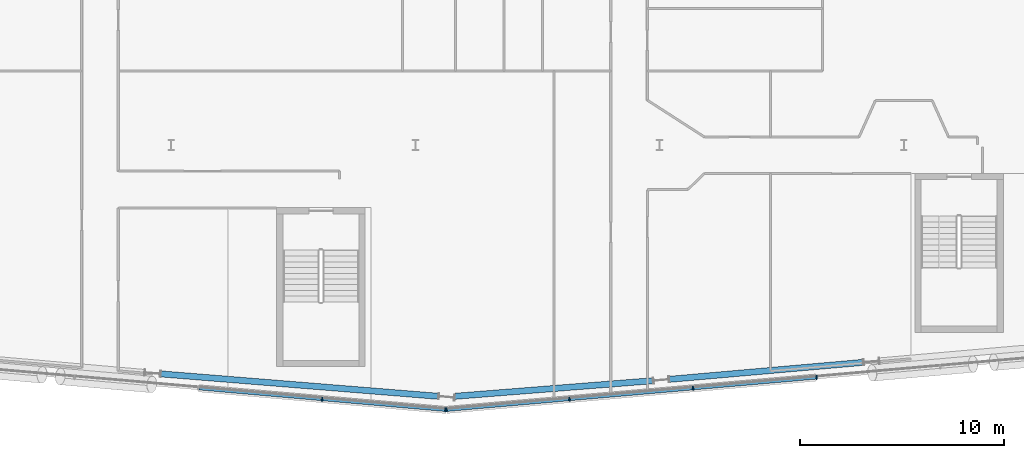
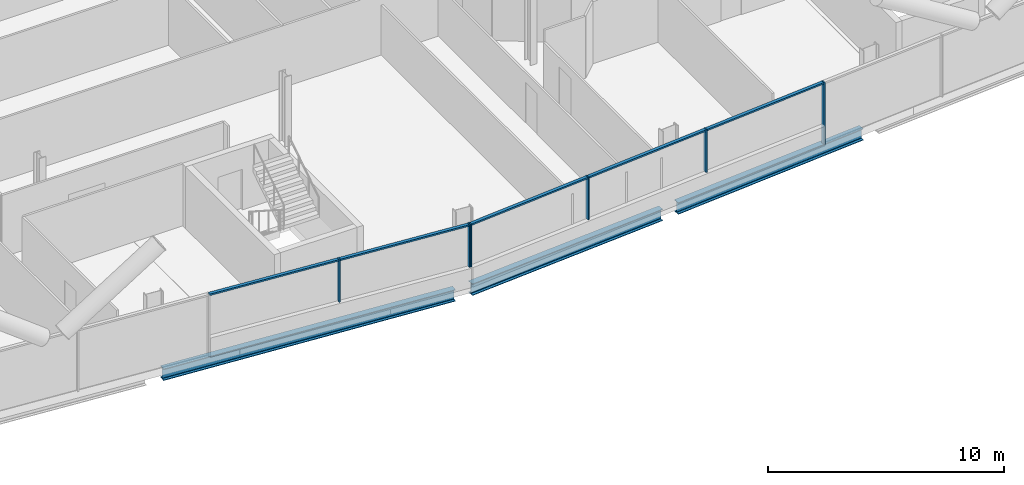
# One storey, part 7 of 27: 11 members, 3 beams, 2 elements without a shape of their own.
"""IFC4 building model written with IfcOpenShell, lengths in metres."""

from ifc_helpers import new_model, si_unit, direction, frame, origin, origin_2d, place, context, subcontext, project, spatial, rectangle, i_section, extrude, material, material_profile, profile_set, type_object, element, aggregate, save


model = new_model("IFC4")

# Units and contexts
model_context = context("Model", 3, precision=1e-05, world=origin(), true_north=direction((0.0, 1.0)))
body_context = subcontext(model_context, "Body", "Model", "MODEL_VIEW")
ifc_project = project(units=[si_unit("LENGTHUNIT", "METRE"), si_unit("AREAUNIT", "SQUARE_METRE"), si_unit("VOLUMEUNIT", "CUBIC_METRE"), si_unit("PLANEANGLEUNIT", "RADIAN"), si_unit("MASSUNIT", "GRAM", prefix="KILO")], contexts=[model_context])

# Site, building, storey
site_placement = place(None, origin())
site = spatial("IfcSite", under=ifc_project, at=site_placement, CompositionType="ELEMENT")
building_placement = place(site_placement, origin())
building = spatial("IfcBuilding", under=site, at=building_placement, Name="Wharfspan Tower", CompositionType="ELEMENT")
storey_placement = place(building_placement, frame((0.0, 0.0, 111.100098)))
storey = spatial("IfcBuildingStorey", under=building, at=storey_placement, Name="L25", CompositionType="ELEMENT", Elevation=111.100098)

# Beams
ifc_material_1 = material(Name="Steel S355J2", Category="steel")
ifc_material_profile_1 = material_profile(ifc_material_1, i_section(OverallWidth=0.300049, OverallDepth=0.600098, WebThickness=0.015381, FlangeThickness=0.030029, FilletRadius=0.0271, at=origin_2d()))
ifc_profile_set_1 = profile_set([ifc_material_profile_1], Name="Steel S355J2")
beam_type = type_object("IfcBeamType", Name="Edge beam HEB 600", PredefinedType="SPANDREL", material=ifc_profile_set_1)
beam_1_placement = place(storey_placement, frame((35.490967, 0.252197, -0.700195), z_axis=(0.996756, -0.080488, 0.0), x_axis=(0.080488, 0.996756, 0.0)))
element("IfcBeam", 1, at=beam_1_placement, inside=storey, type_object=beam_type, Name="Edge beam S1 L25 PS1.3 to PS1.4", PredefinedType="SPANDREL", context=body_context, shape_type="SweptSolid", body=[
    extrude(i_section(OverallWidth=0.300049, OverallDepth=0.600098, WebThickness=0.015381, FlangeThickness=0.030029, FilletRadius=0.0271, at=origin_2d()), origin(), (0.0, 0.0, 1.0), 13.683105),
])
beam_2_placement = place(storey_placement, frame((49.938721, -0.849365, -0.700195), z_axis=(0.996913, 0.078508, 0.0), x_axis=(-0.078508, 0.996913, 0.0)))
element("IfcBeam", 2, at=beam_2_placement, inside=storey, type_object=beam_type, Name="Edge beam S2 L25 PS1.4 to PS2.1", PredefinedType="SPANDREL", context=body_context, shape_type="SweptSolid", body=[
    extrude(i_section(OverallWidth=0.300049, OverallDepth=0.600098, WebThickness=0.015381, FlangeThickness=0.030029, FilletRadius=0.0271, at=origin_2d()), origin(), (0.0, 0.0, 1.0), 9.767578),
])
beam_3_placement = place(storey_placement, frame((60.479492, -0.015625, -0.700195), z_axis=(0.996194, 0.087164, 0.0), x_axis=(-0.087164, 0.996194, 0.0)))
element("IfcBeam", 3, at=beam_3_placement, inside=storey, type_object=beam_type, Name="Edge beam S2 L25 PS2.1 to PS2.2", PredefinedType="SPANDREL", context=body_context, shape_type="SweptSolid", body=[
    extrude(i_section(OverallWidth=0.300049, OverallDepth=0.600098, WebThickness=0.015381, FlangeThickness=0.030029, FilletRadius=0.0271, at=origin_2d()), origin(), (0.0, 0.0, 1.0), 9.55957),
])

# Curtain wall, members
ifc_material_2 = material(Name="Aluminium 6063-T6", Category="aluminium")
curtain_wall_type = type_object("IfcCurtainWallType", Name="CURTAIN WALL FACETED FRONT", PredefinedType="NOTDEFINED", material=ifc_material_2)
curtain_wall_1_placement = place(storey_placement, origin())
curtain_wall_1 = element("IfcCurtainWall", 4, at=curtain_wall_1_placement, inside=storey, type_object=curtain_wall_type, Name="Curtain wall S1", PredefinedType="NOTDEFINED")
ifc_material_profile_2 = material_profile(ifc_material_2, rectangle(XDim=0.199951, YDim=0.060059, at=origin_2d()))
ifc_profile_set_2 = profile_set([ifc_material_profile_2], Name="Aluminium 6063-T6")
member_type_1 = type_object("IfcMemberType", Name="MULLION FACETED FRONT 60x200", PredefinedType="MULLION", material=ifc_profile_set_2)
member_1_placement = place(storey_placement, frame((43.416748, -0.986084, 1.0), z_axis=(0.0, 0.0, 1.0), x_axis=(0.087156, 0.996198, 0.0)))
member_1 = element("IfcMember", 5, at=member_1_placement, type_object=member_type_1, Name="Curtain wall S1 mullion 6", PredefinedType="MULLION", context=body_context, shape_type="SweptSolid", body=[
    extrude(rectangle(XDim=0.199951, YDim=0.060059, at=origin_2d()), origin(), (0.0, 0.0, 1.0), 2.199951),
])
member_2_placement = place(storey_placement, frame((49.470215, -1.515625, 1.0), z_axis=(0.0, 0.0, 1.0), x_axis=(0.087156, 0.996198, 0.0)))
member_2 = element("IfcMember", 6, at=member_2_placement, type_object=member_type_1, Name="Curtain wall S1 mullion 7", PredefinedType="MULLION", context=body_context, shape_type="SweptSolid", body=[
    extrude(rectangle(XDim=0.199951, YDim=0.060059, at=origin_2d()), origin(), (0.0, 0.0, 1.0), 2.199951),
])

curtain_wall_2_placement = place(storey_placement, origin())
curtain_wall_2 = element("IfcCurtainWall", 7, at=curtain_wall_2_placement, inside=storey, type_object=curtain_wall_type, Name="Curtain wall S2", PredefinedType="NOTDEFINED")
member_3_placement = place(storey_placement, frame((49.529785, -1.515625, 1.0), z_axis=(0.0, 0.0, 1.0), x_axis=(-0.087156, 0.996198, 0.0)))
member_3 = element("IfcMember", 8, at=member_3_placement, type_object=member_type_1, Name="Curtain wall S2 mullion 1", PredefinedType="MULLION", context=body_context, shape_type="SweptSolid", body=[
    extrude(rectangle(XDim=0.199951, YDim=0.060059, at=origin_2d()), origin(), (0.0, 0.0, 1.0), 2.199951),
])
member_4_placement = place(storey_placement, frame((55.571533, -0.987061, 1.0), z_axis=(0.0, 0.0, 1.0), x_axis=(-0.087156, 0.996198, 0.0)))
member_4 = element("IfcMember", 9, at=member_4_placement, type_object=member_type_1, Name="Curtain wall S2 mullion 2", PredefinedType="MULLION", context=body_context, shape_type="SweptSolid", body=[
    extrude(rectangle(XDim=0.199951, YDim=0.060059, at=origin_2d()), origin(), (0.0, 0.0, 1.0), 2.199951),
])
member_5_placement = place(storey_placement, frame((61.642822, -0.455811, 1.0), z_axis=(0.0, 0.0, 1.0), x_axis=(-0.087156, 0.996198, 0.0)))
member_5 = element("IfcMember", 10, at=member_5_placement, type_object=member_type_1, Name="Curtain wall S2 mullion 3", PredefinedType="MULLION", context=body_context, shape_type="SweptSolid", body=[
    extrude(rectangle(XDim=0.199951, YDim=0.060059, at=origin_2d()), origin(), (0.0, 0.0, 1.0), 2.199951),
])
member_6_placement = place(storey_placement, frame((67.714355, 0.075195, 0.0), z_axis=(0.0, 0.0, 1.0), x_axis=(-0.087156, 0.996198, 0.0)))
member_6 = element("IfcMember", 11, at=member_6_placement, type_object=member_type_1, Name="Curtain wall S2 mullion 4", PredefinedType="MULLION", context=body_context, shape_type="SweptSolid", body=[
    extrude(rectangle(XDim=0.199951, YDim=0.060059, at=origin_2d()), origin(), (0.0, 0.0, 1.0), 3.199951),
])

# Member
ifc_material_profile_3 = material_profile(ifc_material_2, rectangle(XDim=0.159912, YDim=0.080078, at=origin_2d()))
ifc_profile_set_3 = profile_set([ifc_material_profile_3], Name="Aluminium 6063-T6")
member_type_2 = type_object("IfcMemberType", Name="TRANSOM FACETED FRONT 80x160", PredefinedType="USERDEFINED", material=ifc_profile_set_3)
member_7_placement = place(storey_placement, frame((37.363281, -0.456543, 3.159912), z_axis=(0.996197, -0.087135, 0.0), x_axis=(0.087135, 0.996197, 0.0)))
member_7 = element("IfcMember", 12, at=member_7_placement, type_object=member_type_2, Name="Curtain wall S1 transom 5", ObjectType="TRANSOM", PredefinedType="USERDEFINED", context=body_context, shape_type="SweptSolid", body=[
    extrude(rectangle(XDim=0.159912, YDim=0.080078, at=origin_2d()), origin(), (0.0, 0.0, 1.0), 6.046387),
])

member_8_placement = place(storey_placement, frame((43.446533, -0.98877, 3.159912), z_axis=(0.996198, -0.087122, 0.0), x_axis=(0.087122, 0.996198, 0.0)))
member_8 = element("IfcMember", 13, at=member_8_placement, type_object=member_type_2, Name="Curtain wall S1 transom 6", ObjectType="TRANSOM", PredefinedType="USERDEFINED", context=body_context, shape_type="SweptSolid", body=[
    extrude(rectangle(XDim=0.159912, YDim=0.080078, at=origin_2d()), origin(), (0.0, 0.0, 1.0), 6.016602),
])

aggregate(curtain_wall_1, [member_1, member_2, member_7, member_8])

member_9_placement = place(storey_placement, frame((49.559814, -1.512939, 3.159912), z_axis=(0.996197, 0.087133, 0.0), x_axis=(-0.087133, 0.996197, 0.0)))
member_9 = element("IfcMember", 14, at=member_9_placement, type_object=member_type_2, Name="Curtain wall S2 transom 1", ObjectType="TRANSOM", PredefinedType="USERDEFINED", context=body_context, shape_type="SweptSolid", body=[
    extrude(rectangle(XDim=0.159912, YDim=0.080078, at=origin_2d()), origin(), (0.0, 0.0, 1.0), 6.004639),
])

member_10_placement = place(storey_placement, frame((55.601318, -0.984375, 3.159912), z_axis=(0.996196, 0.087143, 0.0), x_axis=(-0.087143, 0.996196, 0.0)))
member_10 = element("IfcMember", 15, at=member_10_placement, type_object=member_type_2, Name="Curtain wall S2 transom 2", ObjectType="TRANSOM", PredefinedType="USERDEFINED", context=body_context, shape_type="SweptSolid", body=[
    extrude(rectangle(XDim=0.159912, YDim=0.080078, at=origin_2d()), origin(), (0.0, 0.0, 1.0), 6.034668),
])

member_11_placement = place(storey_placement, frame((61.672852, -0.453369, 3.159912), z_axis=(0.996192, 0.087187, 0.0), x_axis=(-0.087187, 0.996192, 0.0)))
member_11 = element("IfcMember", 16, at=member_11_placement, type_object=member_type_2, Name="Curtain wall S2 transom 3", ObjectType="TRANSOM", PredefinedType="USERDEFINED", context=body_context, shape_type="SweptSolid", body=[
    extrude(rectangle(XDim=0.159912, YDim=0.080078, at=origin_2d()), origin(), (0.0, 0.0, 1.0), 6.034424),
])

aggregate(curtain_wall_2, [member_3, member_4, member_5, member_6, member_9, member_10, member_11])

save(model, "model.ifc")
